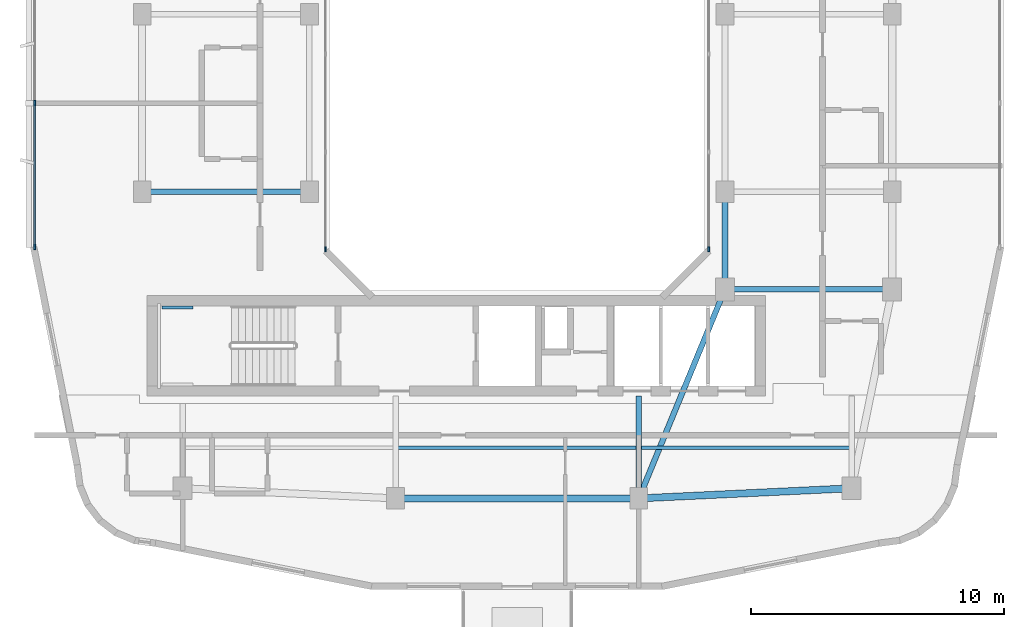
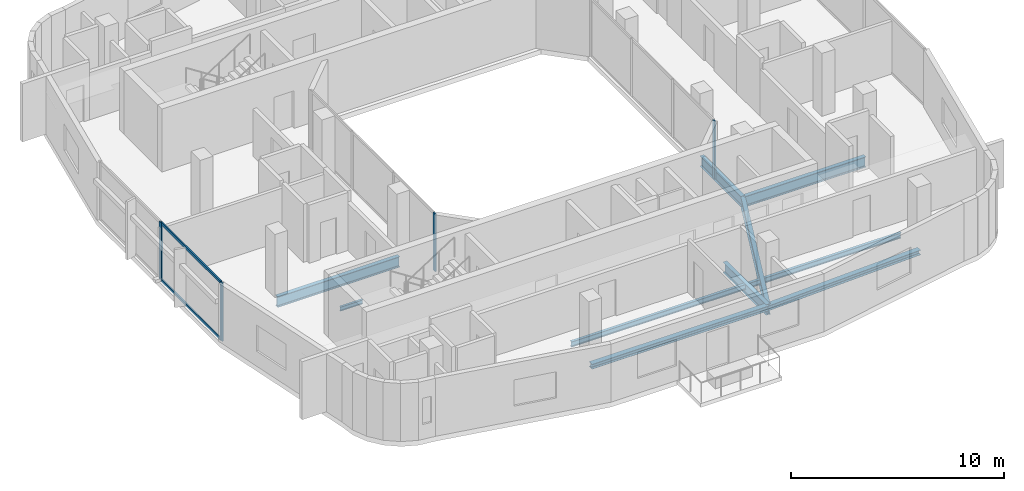
# One storey, part 2 of 13: 10 beams, 6 members, 3 elements without a shape of their own.
"""IFC4 building model written with IfcOpenShell, lengths in metres."""

import ifcopenshell
import ifcopenshell.guid

model = None  # the IFC model being written
_history = None  # IfcOwnerHistory: only IFC2X3 demands one
_inside = {}  # id of a spatial element -> (the spatial element, [elements in it])
_under = {}  # id of a project, library or spatial element -> (it, [spatial elements below it])
_declared = {}  # id of a project -> (the project, [libraries it declares])
_typed = {}  # id of a type object -> (the type object, [elements of that type])
_made_of = {}  # id of a material, layer set ... -> (it, [elements and type objects made of it])


def new_model(schema):
    """Start an empty IFC model of exactly this schema.

    Asked for "IFC4X3", IfcOpenShell would pick the latest addendum, in which some entities
    have other attributes; the version numbers below select the first issue.
    IFC2X3 requires an IfcOwnerHistory on every rooted entity: one is made here for all.
    """
    global model, _history
    if schema == "IFC4X3":
        model = ifcopenshell.file(schema_version=(4, 3, 0, 0))
    else:
        model = ifcopenshell.file(schema=schema)
    _inside.clear()
    _under.clear()
    _declared.clear()
    _typed.clear()
    _made_of.clear()
    _history = None
    if model.schema == "IFC2X3":
        org = make("IfcOrganization", Name="unknown")
        user = make(
            "IfcPersonAndOrganization",
            ThePerson=make("IfcPerson", FamilyName="unknown"),
            TheOrganization=org,
        )
        app = make(
            "IfcApplication",
            ApplicationDeveloper=org,
            Version="unknown",
            ApplicationFullName="unknown",
            ApplicationIdentifier="unknown",
        )
        _history = make(
            "IfcOwnerHistory",
            OwningUser=user,
            OwningApplication=app,
            ChangeAction="ADDED",
            CreationDate=0,
        )
    return model


def make(cls, **values):
    """One entity of the class cls with the attributes given. An attribute that is None is left unset."""
    return model.create_entity(
        cls, **{name: value for name, value in values.items() if value is not None}
    )


def rooted(cls, **values):
    """An entity with a GlobalId (a new one), such as an element, a storey or a relation."""
    return make(cls, GlobalId=ifcopenshell.guid.new(), OwnerHistory=_history, **values)


def si_unit(unit_type, name, prefix=None):
    """IfcSIUnit, for example si_unit("LENGTHUNIT", "METRE", prefix="MILLI")."""
    return make("IfcSIUnit", UnitType=unit_type, Prefix=prefix, Name=name)


def derived_unit(unit_type, elements):
    """IfcDerivedUnit: a product of units, each with its exponent."""
    return make(
        "IfcDerivedUnit",
        Elements=[
            make("IfcDerivedUnitElement", Unit=unit, Exponent=power)
            for unit, power in elements
        ],
        UnitType=unit_type,
    )


def assignment(units):
    """IfcUnitAssignment: the units of a project."""
    return None if units is None else make("IfcUnitAssignment", Units=units)


def point(xyz):
    """IfcCartesianPoint."""
    return None if xyz is None else make("IfcCartesianPoint", Coordinates=xyz)


def direction(xyz):
    """IfcDirection."""
    return None if xyz is None else make("IfcDirection", DirectionRatios=xyz)


def frame(location, z_axis=None, x_axis=None):
    """IfcAxis2Placement3D, a coordinate frame: its origin and axes. An axis left out is left unset."""
    return make(
        "IfcAxis2Placement3D",
        Location=point(location),
        Axis=direction(z_axis),
        RefDirection=direction(x_axis),
    )


def frame_2d(location, x_axis=None):
    """IfcAxis2Placement2D, a coordinate frame in the plane: its origin and x axis."""
    return make(
        "IfcAxis2Placement2D", Location=point(location), RefDirection=direction(x_axis)
    )


def origin():
    """The frame at (0, 0, 0) with its axes left unset."""
    return frame((0.0, 0.0, 0.0))


def origin_2d():
    """The frame at (0, 0) in the plane with its x axis left unset."""
    return frame_2d((0.0, 0.0))


def place(relative_to, where):
    """IfcLocalPlacement: puts the frame where relative to a parent placement (None: the world)."""
    return make(
        "IfcLocalPlacement", PlacementRelTo=relative_to, RelativePlacement=where
    )


def context(
    kind, dimensions, precision=None, world=None, true_north=None, identifier=None
):
    """IfcGeometricRepresentationContext, for example the 3D "Model" context."""
    return make(
        "IfcGeometricRepresentationContext",
        ContextIdentifier=identifier,
        ContextType=kind,
        CoordinateSpaceDimension=dimensions,
        Precision=precision,
        WorldCoordinateSystem=world,
        TrueNorth=true_north,
    )


def subcontext(parent, identifier, kind, view, scale=None):
    """IfcGeometricRepresentationSubContext, for example "Body" below "Model"."""
    return make(
        "IfcGeometricRepresentationSubContext",
        ContextIdentifier=identifier,
        ContextType=kind,
        ParentContext=parent,
        TargetScale=scale,
        TargetView=view,
    )


def project(units=None, contexts=None):
    """IfcProject with its units and contexts."""
    return rooted(
        "IfcProject",
        Name="project",
        RepresentationContexts=contexts,
        UnitsInContext=assignment(units),
    )


def spatial(cls, under=None, at=None, **own):
    """A site, building, storey or space (cls), placed at a placement, below another one or the project."""
    s = rooted(cls, ObjectPlacement=at, **own)
    if under is not None:
        _under.setdefault(under.id(), (under, []))[1].append(s)
    return s


def profile(cls, at=None, kind="AREA", **sizes):
    """A parametric profile (cls). Its sizes go by their IFC names, for example OverallWidth=200.0."""
    return make(cls, ProfileType=kind, Position=at, **sizes)


def rectangle(**sizes):
    """IfcRectangleProfileDef."""
    return profile("IfcRectangleProfileDef", **sizes)


def i_section(**sizes):
    """IfcIShapeProfileDef."""
    return profile("IfcIShapeProfileDef", **sizes)


def extrude(swept, where, along, depth):
    """IfcExtrudedAreaSolid: the profile swept, set in the frame where, extruded along a direction by depth."""
    return make(
        "IfcExtrudedAreaSolid",
        SweptArea=swept,
        Position=where,
        ExtrudedDirection=direction(along),
        Depth=depth,
    )


def shape(context_of_items, identifier, shape_type, items):
    """IfcShapeRepresentation: the items that make up one representation, for example the "Body"."""
    return make(
        "IfcShapeRepresentation",
        ContextOfItems=context_of_items,
        RepresentationIdentifier=identifier,
        RepresentationType=shape_type,
        Items=items,
    )


def material(Name=None, Category=None):
    """IfcMaterial."""
    return make("IfcMaterial", Name=Name, Category=Category)


def layer(
    of_material, thickness, ventilated=None, Name=None, Category=None, Priority=None
):
    """IfcMaterialLayer: one layer of a wall or slab, of a material (None: an air gap)."""
    return make(
        "IfcMaterialLayer",
        Material=of_material,
        LayerThickness=thickness,
        IsVentilated=ventilated,
        Name=Name,
        Category=Category,
        Priority=Priority,
    )


def layer_set(layers, Name=None):
    """IfcMaterialLayerSet."""
    return make("IfcMaterialLayerSet", MaterialLayers=layers, LayerSetName=Name)


def material_profile(
    of_material, cross_section, Name=None, Category=None, Priority=None
):
    """IfcMaterialProfile: a cross section and its material."""
    return make(
        "IfcMaterialProfile",
        Name=Name,
        Material=of_material,
        Profile=cross_section,
        Priority=Priority,
        Category=Category,
    )


def profile_set(profiles, Name=None, composite=None):
    """IfcMaterialProfileSet."""
    return make(
        "IfcMaterialProfileSet",
        Name=Name,
        MaterialProfiles=profiles,
        CompositeProfile=composite,
    )


def made_of(thing, what):
    """Note that an element or type object is made of a material, layer set ...; save() writes the relation."""
    if what is not None:
        _made_of.setdefault(what.id(), (what, []))[1].append(thing)
    return thing


def type_object(cls, material=None, **own):
    """A type object (cls), such as IfcWallType, which elements share."""
    return made_of(rooted(cls, **own), material)


def element(
    cls,
    number,
    at=None,
    inside=None,
    cuts=None,
    type_object=None,
    material=None,
    context=None,
    identifier="Body",
    shape_type=None,
    held_by="IfcProductDefinitionShape",
    body=None,
    shapes=None,
    **own,
):
    """One element of the class cls, such as IfcWall. Its Tag is "e" and its number.

    at: its placement. inside: the storey or other place that contains it. cuts: it is an
    opening in that element (IfcRelVoidsElement). A single representation is given by context,
    identifier, shape_type and body (its items); several are given by shapes. held_by: the class
    of the entity that holds the representations. save() writes the other relations.
    """
    e = rooted(cls, Tag="e%d" % number, ObjectPlacement=at, **own)
    if body is not None:
        shapes = [shape(context, identifier, shape_type, body)]
    if shapes is not None:
        e.Representation = make(held_by, Representations=shapes)
    if inside is not None:
        _inside.setdefault(inside.id(), (inside, []))[1].append(e)
    if cuts is not None:
        rooted(
            "IfcRelVoidsElement", RelatingBuildingElement=cuts, RelatedOpeningElement=e
        )
    if type_object is not None:
        _typed.setdefault(type_object.id(), (type_object, []))[1].append(e)
    return made_of(e, material)


def aggregate(whole, parts):
    """IfcRelAggregates: a whole, such as a stair, and the parts it consists of."""
    return rooted("IfcRelAggregates", RelatingObject=whole, RelatedObjects=parts)


def save(model, path):
    """Write the relations noted so far, then the file.

    IfcRelAggregates (storeys below a building ...), IfcRelContainedInSpatialStructure (elements
    in a storey), IfcRelDefinesByType, IfcRelAssociatesMaterial and IfcRelDeclares: one each for
    every whole, place, type object, material and project.
    """
    for whole, parts in _under.values():
        aggregate(whole, parts)
    for where, things in _inside.values():
        rooted(
            "IfcRelContainedInSpatialStructure",
            RelatedElements=things,
            RelatingStructure=where,
        )
    for kind, things in _typed.values():
        rooted("IfcRelDefinesByType", RelatedObjects=things, RelatingType=kind)
    for what, things in _made_of.values():
        rooted("IfcRelAssociatesMaterial", RelatedObjects=things, RelatingMaterial=what)
    for by, libraries in _declared.values():
        rooted("IfcRelDeclares", RelatingContext=by, RelatedDefinitions=libraries)
    model.write(path)


model = new_model("IFC4")

# Units and contexts
model_context = context("Model", 3, precision=1e-05, world=origin(), true_north=direction((0.0, 1.0)))
body_context = subcontext(model_context, "Body", "Model", "MODEL_VIEW")
ifc_project = project(units=[si_unit("LENGTHUNIT", "METRE"), si_unit("AREAUNIT", "SQUARE_METRE"), si_unit("VOLUMEUNIT", "CUBIC_METRE"), si_unit("PLANEANGLEUNIT", "RADIAN"), si_unit("MASSUNIT", "GRAM", prefix="KILO"), derived_unit("THERMALTRANSMITTANCEUNIT", [(si_unit("POWERUNIT", "WATT"), 1), (si_unit("LENGTHUNIT", "METRE"), -2), (si_unit("THERMODYNAMICTEMPERATUREUNIT", "KELVIN"), -1)])], contexts=[model_context])

# Site, building, storey
site_placement = place(None, origin())
site = spatial("IfcSite", under=ifc_project, at=site_placement, CompositionType="ELEMENT")
building_placement = place(site_placement, origin())
building = spatial("IfcBuilding", under=site, at=building_placement, Name="Kivonza Crest Hotel", CompositionType="ELEMENT")
storey_placement = place(building_placement, frame((0.0, 0.0, 220.699951171875)))
storey = spatial("IfcBuildingStorey", under=building, at=storey_placement, Name="L60", CompositionType="ELEMENT", Elevation=220.699951171875)

# Beams
ifc_material_1 = material(Name="Steel S355", Category="steel")
ifc_material_profile_1 = material_profile(ifc_material_1, i_section(OverallWidth=0.280029296875, OverallDepth=0.280029296875, WebThickness=0.010498046875, FlangeThickness=0.01806640625, FilletRadius=0.02392578125, at=origin_2d()), Name="HEB 280")
ifc_profile_set_1 = profile_set([ifc_material_profile_1], Name="Steel S355")
beam_type_1 = type_object("IfcBeamType", Name="BM-HEB280", PredefinedType="SPANDREL", material=ifc_profile_set_1)
beam_1_placement = place(storey_placement, frame((16.199951171875, 9.39990234375, -0.419921875), z_axis=(1.0, 0.0, 0.0), x_axis=(0.0, 1.0, 0.0)))
element("IfcBeam", 1, at=beam_1_placement, inside=storey, type_object=beam_type_1, Name="Tower T1 L60 perimeter spandrel S1-S2", PredefinedType="SPANDREL", context=body_context, shape_type="SweptSolid", body=[
    extrude(i_section(OverallWidth=0.280029296875, OverallDepth=0.280029296875, WebThickness=0.010498046875, FlangeThickness=0.01806640625, FilletRadius=0.02392578125, at=origin_2d()), origin(), (0.0, 0.0, 1.0), 9.60009765625),
])
beam_2_placement = place(storey_placement, frame((25.800048828125, 9.39990234375, -0.419921875), z_axis=(0.998867283688, 0.047583080799, 0.0), x_axis=(-0.047583080799, 0.998867283688, 0.0)))
element("IfcBeam", 2, at=beam_2_placement, inside=storey, type_object=beam_type_1, Name="Tower T1 L60 perimeter spandrel S2-SE", PredefinedType="SPANDREL", context=body_context, shape_type="SweptSolid", body=[
    extrude(i_section(OverallWidth=0.280029296875, OverallDepth=0.280029296875, WebThickness=0.010498046875, FlangeThickness=0.01806640625, FilletRadius=0.02392578125, at=origin_2d()), origin(), (0.0, 0.0, 1.0), 8.409423828125),
])
ifc_material_profile_2 = material_profile(ifc_material_1, i_section(OverallWidth=0.14990234375, OverallDepth=0.300048828125, WebThickness=0.007080078125, FlangeThickness=0.0107421875, FilletRadius=0.014892578125, at=origin_2d()), Name="IPE 300")
ifc_profile_set_2 = profile_set([ifc_material_profile_2], Name="Steel S355")
beam_type_2 = type_object("IfcBeamType", Name="BM-IPE300", PredefinedType="JOIST", material=ifc_profile_set_2)
beam_3_placement = place(storey_placement, frame((16.280029296875, 11.39990234375, -0.429931640625), z_axis=(1.0, 0.0, 0.0), x_axis=(0.0, 1.0, 0.0)))
element("IfcBeam", 3, at=beam_3_placement, inside=storey, type_object=beam_type_2, Name="Tower T1 L60 South-Mid floor joist", PredefinedType="JOIST", context=body_context, shape_type="SweptSolid", body=[
    extrude(i_section(OverallWidth=0.14990234375, OverallDepth=0.300048828125, WebThickness=0.007080078125, FlangeThickness=0.0107421875, FilletRadius=0.014892578125, at=origin_2d()), origin(), (0.0, 0.0, 1.0), 9.43994140625),
])
beam_4_placement = place(storey_placement, frame((25.8798828125, 11.39990234375, -0.429931640625), z_axis=(1.0, 0.0, 0.0), x_axis=(0.0, 1.0, 0.0)))
element("IfcBeam", 4, at=beam_4_placement, inside=storey, type_object=beam_type_2, Name="Tower T1 L60 South-East floor joist", PredefinedType="JOIST", context=body_context, shape_type="SweptSolid", body=[
    extrude(i_section(OverallWidth=0.14990234375, OverallDepth=0.300048828125, WebThickness=0.007080078125, FlangeThickness=0.0107421875, FilletRadius=0.014892578125, at=origin_2d()), origin(), (0.0, 0.0, 1.0), 8.240234375),
])
ifc_material_profile_3 = material_profile(ifc_material_1, i_section(OverallWidth=0.219970703125, OverallDepth=0.60009765625, WebThickness=0.011962890625, FlangeThickness=0.01904296875, FilletRadius=0.02392578125, at=origin_2d()), Name="IPE 600")
ifc_profile_set_3 = profile_set([ifc_material_profile_3], Name="Steel S355")
beam_type_3 = type_object("IfcBeamType", Name="BM-IPE600", PredefinedType="BEAM", material=ifc_profile_set_3)
beam_5_placement = place(storey_placement, frame((6.199951171875, 21.5, -0.579833984375), z_axis=(1.0, 0.0, 0.0), x_axis=(0.0, 1.0, 0.0)))
element("IfcBeam", 5, at=beam_5_placement, inside=storey, type_object=beam_type_3, Name="Tower T1 L60 primary girder W1-WL1", PredefinedType="BEAM", context=body_context, shape_type="SweptSolid", body=[
    extrude(i_section(OverallWidth=0.219970703125, OverallDepth=0.60009765625, WebThickness=0.011962890625, FlangeThickness=0.01904296875, FilletRadius=0.02392578125, at=origin_2d()), origin(), (0.0, 0.0, 1.0), 6.60009765625),
])
beam_6_placement = place(storey_placement, frame((25.800048828125, 9.39990234375, -0.579833984375), z_axis=(0.381022260404, 0.924565864109, 0.0), x_axis=(-0.924565864109, 0.381022260404, 0.0)))
element("IfcBeam", 6, at=beam_6_placement, inside=storey, type_object=beam_type_3, Name="Tower T1 L60 primary girder S1-TSE", PredefinedType="BEAM", context=body_context, shape_type="SweptSolid", body=[
    extrude(i_section(OverallWidth=0.219970703125, OverallDepth=0.60009765625, WebThickness=0.011962890625, FlangeThickness=0.01904296875, FilletRadius=0.02392578125, at=origin_2d()), origin(), (0.0, 0.0, 1.0), 8.923095703125),
])
beam_7_placement = place(storey_placement, frame((29.199951171875, 17.64990234375, -0.579833984375), z_axis=(1.0, 0.0, 0.0), x_axis=(0.0, 1.0, 0.0)))
element("IfcBeam", 7, at=beam_7_placement, inside=storey, type_object=beam_type_3, Name="Tower T1 L60 primary girder TSE-PSE", PredefinedType="BEAM", context=body_context, shape_type="SweptSolid", body=[
    extrude(i_section(OverallWidth=0.219970703125, OverallDepth=0.60009765625, WebThickness=0.011962890625, FlangeThickness=0.01904296875, FilletRadius=0.02392578125, at=origin_2d()), origin(), (0.0, 0.0, 1.0), 6.60009765625),
])
beam_8_placement = place(storey_placement, frame((29.199951171875, 17.64990234375, -0.579833984375), z_axis=(0.0, 1.0, 0.0), x_axis=(-1.0, 0.0, 0.0)))
element("IfcBeam", 8, at=beam_8_placement, inside=storey, type_object=beam_type_3, Name="Tower T1 L60 primary girder TSE-WR1", PredefinedType="BEAM", context=body_context, shape_type="SweptSolid", body=[
    extrude(i_section(OverallWidth=0.219970703125, OverallDepth=0.60009765625, WebThickness=0.011962890625, FlangeThickness=0.01904296875, FilletRadius=0.02392578125, at=origin_2d()), origin(), (0.0, 0.0, 1.0), 3.85009765625),
])
beam_9_placement = place(storey_placement, frame((25.800048828125, 9.39990234375, -0.579833984375), z_axis=(0.0, 1.0, 0.0), x_axis=(-1.0, 0.0, 0.0)))
element("IfcBeam", 9, at=beam_9_placement, inside=storey, type_object=beam_type_3, Name="Tower T1 L60 radial core girder RS2", PredefinedType="BEAM", context=body_context, shape_type="SweptSolid", body=[
    extrude(i_section(OverallWidth=0.219970703125, OverallDepth=0.60009765625, WebThickness=0.011962890625, FlangeThickness=0.01904296875, FilletRadius=0.02392578125, at=origin_2d()), origin(), (0.0, 0.0, 1.0), 4.050048828125),
])
ifc_material_profile_4 = material_profile(ifc_material_1, i_section(OverallWidth=0.1201171875, OverallDepth=0.239990234375, WebThickness=0.006103515625, FlangeThickness=0.009765625, FilletRadius=0.014892578125, at=origin_2d()), Name="IPE 240")
ifc_profile_set_4 = profile_set([ifc_material_profile_4], Name="Steel S355")
beam_type_4 = type_object("IfcBeamType", Name="BM-LLDG-240", PredefinedType="BEAM", material=ifc_profile_set_4)
beam_10_placement = place(storey_placement, frame((6.989990234375, 16.93994140625, 1.47998046875), z_axis=(1.0, 0.0, 0.0), x_axis=(0.0, 1.0, 0.0)))
element("IfcBeam", 10, at=beam_10_placement, inside=storey, type_object=beam_type_4, Name="Stair ST-T1-S L60 North landing corbel", PredefinedType="BEAM", context=body_context, shape_type="SweptSolid", body=[
    extrude(i_section(OverallWidth=0.1201171875, OverallDepth=0.239990234375, WebThickness=0.006103515625, FlangeThickness=0.009765625, FilletRadius=0.014892578125, at=origin_2d()), origin(), (0.0, 0.0, 1.0), 1.2099609375),
])

# Curtain wall, member
ifc_material_2 = material(Name="Anodised bronze aluminium and low-E double glazing", Category="aluminium")
ifc_layer_1 = layer(ifc_material_2, 0.159912109375)
ifc_layer_set_1 = layer_set([ifc_layer_1], Name="Anodised bronze aluminium and low-E double glazing")
curtain_wall_type_1 = type_object("IfcCurtainWallType", Name="CW-SYS-5", PredefinedType="NOTDEFINED", material=ifc_layer_set_1)
curtain_wall_1_placement = place(storey_placement, origin())
curtain_wall_1 = element("IfcCurtainWall", 11, at=curtain_wall_1_placement, inside=storey, type_object=curtain_wall_type_1, Name="L60 unitised curtain wall CW-WELL-T1-L60-3", PredefinedType="NOTDEFINED")
ifc_material_3 = material(Name="Anodised bronze aluminium", Category="aluminium")
ifc_material_profile_5 = material_profile(ifc_material_3, rectangle(XDim=0.06494140625, YDim=0.179931640625, at=origin_2d()), Name="CW-M 65x180")
ifc_profile_set_5 = profile_set([ifc_material_profile_5], Name="Anodised bronze aluminium")
member_type_1 = type_object("IfcMemberType", Name="CW-MUL-65x180", PredefinedType="MULLION", material=ifc_profile_set_5)
member_1_placement = place(storey_placement, frame((28.56005859375, 19.232421875, 0.0), z_axis=(0.0, 0.0, 1.0), x_axis=(-1.0, 0.0, 0.0)))
member_1 = element("IfcMember", 12, at=member_1_placement, type_object=member_type_1, Name="CW-5 mullion 1", PredefinedType="MULLION", context=body_context, shape_type="SweptSolid", body=[
    extrude(rectangle(XDim=0.06494140625, YDim=0.179931640625, at=origin_2d()), origin(), (0.0, 0.0, 1.0), 3.320068359375),
])
aggregate(curtain_wall_1, [member_1])

curtain_wall_2_placement = place(storey_placement, origin())
curtain_wall_2 = element("IfcCurtainWall", 13, at=curtain_wall_2_placement, inside=storey, type_object=curtain_wall_type_1, Name="L60 unitised curtain wall CW-WELL-T1-L60-7", PredefinedType="NOTDEFINED")
member_2_placement = place(storey_placement, frame((13.43994140625, 19.232421875, 0.0), z_axis=(0.0, 0.0, 1.0), x_axis=(1.0, 0.0, 0.0)))
member_2 = element("IfcMember", 14, at=member_2_placement, type_object=member_type_1, Name="CW-5 mullion 4", PredefinedType="MULLION", context=body_context, shape_type="SweptSolid", body=[
    extrude(rectangle(XDim=0.06494140625, YDim=0.179931640625, at=origin_2d()), origin(), (0.0, 0.0, 1.0), 3.320068359375),
])
aggregate(curtain_wall_2, [member_2])

# Curtain wall, members
ifc_layer_2 = layer(ifc_material_2, 0.179931640625)
ifc_layer_set_2 = layer_set([ifc_layer_2], Name="Anodised bronze aluminium and low-E double glazing")
curtain_wall_type_2 = type_object("IfcCurtainWallType", Name="CW-SYS-3", PredefinedType="NOTDEFINED", material=ifc_layer_set_2)
curtain_wall_3_placement = place(storey_placement, origin())
curtain_wall_3 = element("IfcCurtainWall", 15, at=curtain_wall_3_placement, inside=storey, type_object=curtain_wall_type_2, Name="L60 unitised curtain wall CW-T1-L60-35", PredefinedType="NOTDEFINED")
ifc_material_profile_6 = material_profile(ifc_material_3, rectangle(XDim=0.074951171875, YDim=0.219970703125, at=origin_2d()), Name="CW-M 75x220")
ifc_profile_set_6 = profile_set([ifc_material_profile_6], Name="Anodised bronze aluminium")
member_type_2 = type_object("IfcMemberType", Name="CW-MUL-75x220", PredefinedType="MULLION", material=ifc_profile_set_6)
member_3_placement = place(storey_placement, frame((1.9599609375, 25.0, 0.0), z_axis=(0.0, 0.0, 1.0), x_axis=(1.0, 0.0, 0.0)))
member_3 = element("IfcMember", 16, at=member_3_placement, type_object=member_type_2, Name="CW-3 mullion 2", PredefinedType="MULLION", context=body_context, shape_type="SweptSolid", body=[
    extrude(rectangle(XDim=0.074951171875, YDim=0.219970703125, at=origin_2d()), origin(), (0.0, 0.0, 1.0), 3.320068359375),
])
member_4_placement = place(storey_placement, frame((1.9599609375, 19.3173828125, 0.0), z_axis=(0.0, 0.0, 1.0), x_axis=(1.0, 0.0, 0.0)))
member_4 = element("IfcMember", 17, at=member_4_placement, type_object=member_type_2, Name="CW-3 mullion 3", PredefinedType="MULLION", context=body_context, shape_type="SweptSolid", body=[
    extrude(rectangle(XDim=0.074951171875, YDim=0.219970703125, at=origin_2d()), origin(), (0.0, 0.0, 1.0), 3.320068359375),
])
ifc_material_profile_7 = material_profile(ifc_material_3, rectangle(XDim=0.074951171875, YDim=0.159912109375, at=origin_2d()), Name="CW-T 75x160")
ifc_profile_set_7 = profile_set([ifc_material_profile_7], Name="Anodised bronze aluminium")
member_type_3 = type_object("IfcMemberType", Name="CW-TRN-75x160", PredefinedType="USERDEFINED", material=ifc_profile_set_7)
member_5_placement = place(storey_placement, frame((1.9599609375, 24.96240234375, 0.03759765625), z_axis=(0.0, -1.0, 0.0), x_axis=(1.0, 0.0, 0.0)))
member_5 = element("IfcMember", 18, at=member_5_placement, type_object=member_type_3, Name="CW-3 transom 2.1", ObjectType="TRANSOM", PredefinedType="USERDEFINED", context=body_context, shape_type="SweptSolid", body=[
    extrude(rectangle(XDim=0.074951171875, YDim=0.159912109375, at=origin_2d()), origin(), (0.0, 0.0, 1.0), 5.607421875),
])
member_6_placement = place(storey_placement, frame((1.9599609375, 24.96240234375, 3.282470703125), z_axis=(0.0, -1.0, 0.0), x_axis=(1.0, 0.0, 0.0)))
member_6 = element("IfcMember", 19, at=member_6_placement, type_object=member_type_3, Name="CW-3 transom 2.2", ObjectType="TRANSOM", PredefinedType="USERDEFINED", context=body_context, shape_type="SweptSolid", body=[
    extrude(rectangle(XDim=0.074951171875, YDim=0.159912109375, at=origin_2d()), origin(), (0.0, 0.0, 1.0), 5.607421875),
])
aggregate(curtain_wall_3, [member_3, member_4, member_5, member_6])

save(model, "model.ifc")
